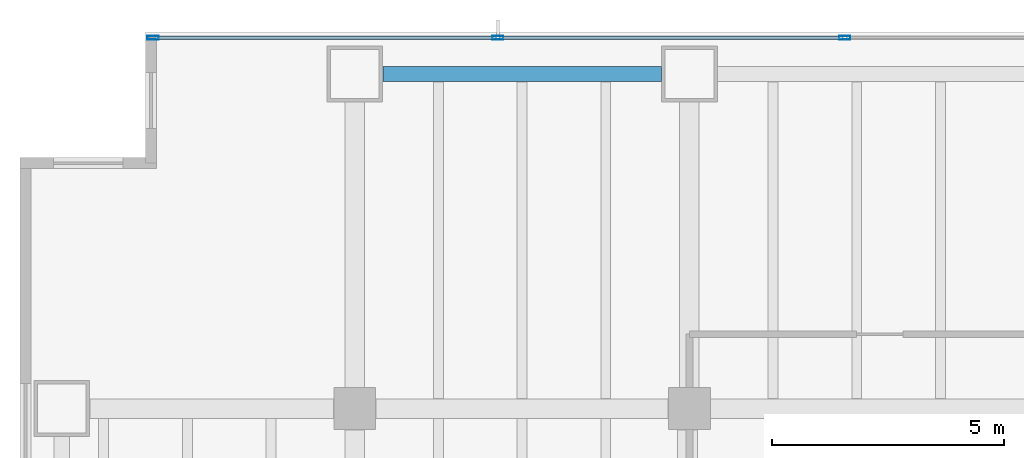
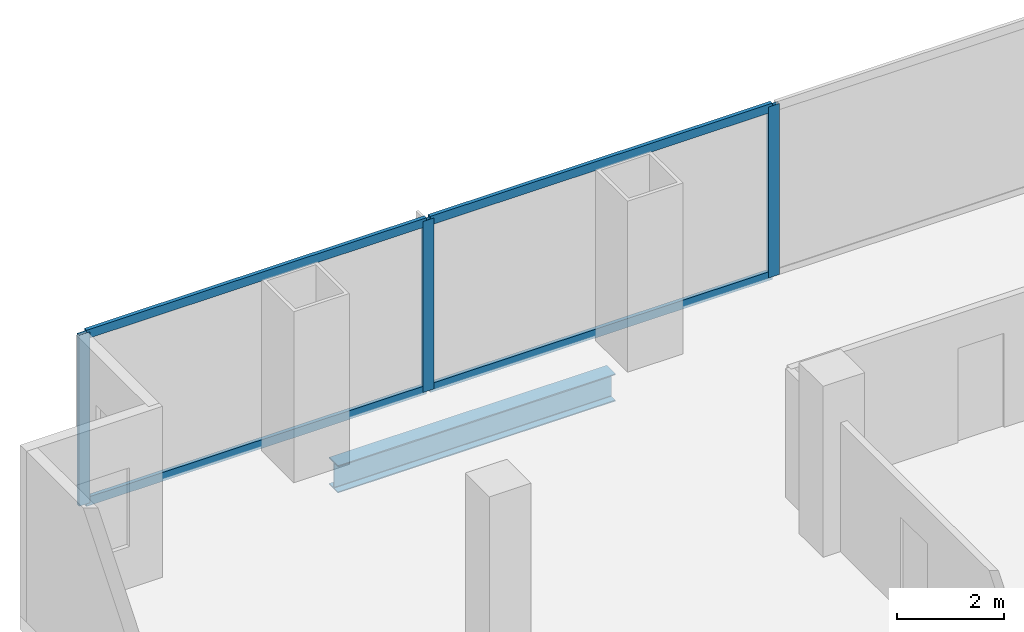
# One storey, part 11 of 31: 7 members, 1 beam, 1 element without a shape of its own.
"""IFC4 building model written with IfcOpenShell, lengths in metres."""

from ifc_helpers import new_model, si_unit, direction, frame, origin, origin_2d, place, context, subcontext, project, spatial, hollow_rectangle, i_section, extrude, material, material_profile, profile_set, type_object, element, aggregate, save


model = new_model("IFC4")

# Units and contexts
model_context = context("Model", 3, precision=1e-05, world=origin(), true_north=direction((0.0, 1.0)))
body_context = subcontext(model_context, "Body", "Model", "MODEL_VIEW")
ifc_project = project(units=[si_unit("LENGTHUNIT", "METRE"), si_unit("AREAUNIT", "SQUARE_METRE"), si_unit("VOLUMEUNIT", "CUBIC_METRE"), si_unit("PLANEANGLEUNIT", "RADIAN"), si_unit("MASSUNIT", "GRAM", prefix="KILO")], contexts=[model_context])

# Site, building, storey
site_placement = place(None, origin())
site = spatial("IfcSite", under=ifc_project, at=site_placement, CompositionType="ELEMENT")
building_placement = place(site_placement, origin())
building = spatial("IfcBuilding", under=site, at=building_placement, Name="Cobrela Telecom Tower", CompositionType="ELEMENT")
storey_placement = place(building_placement, frame((0.0, 0.0, 9.449951171875)))
storey = spatial("IfcBuildingStorey", under=building, at=storey_placement, Name="L02", CompositionType="ELEMENT", Elevation=9.449951171875)

# Beam
ifc_material_1 = material(Name="Steel ASTM A992 Grade 50", Category="steel")
ifc_material_profile_1 = material_profile(ifc_material_1, i_section(OverallWidth=0.327880859375, OverallDepth=0.6220703125, WebThickness=0.015380859375, FlangeThickness=0.0244140625, FilletRadius=0.014892578125, at=origin_2d()), Name="W24X131")
ifc_profile_set_1 = profile_set([ifc_material_profile_1], Name="Steel ASTM A992 Grade 50")
beam_type = type_object("IfcBeamType", Name="BM-SPAND-01", PredefinedType="SPANDREL", material=ifc_profile_set_1)
beam_placement = place(storey_placement, frame((7.804931640625, 49.5, -0.61083984375), z_axis=(1.0, 0.0, 0.0), x_axis=(0.0, 1.0, 0.0)))
element("IfcBeam", 1, at=beam_placement, inside=storey, type_object=beam_type, Name="L02 Perimeter Spandrel X52", PredefinedType="SPANDREL", context=body_context, shape_type="SweptSolid", body=[
    extrude(i_section(OverallWidth=0.327880859375, OverallDepth=0.6220703125, WebThickness=0.015380859375, FlangeThickness=0.0244140625, FilletRadius=0.014892578125, at=origin_2d()), origin(), (0.0, 0.0, 1.0), 5.989990234375),
])

# Curtain wall, members
ifc_material_2 = material(Name="Anodized Bronze Aluminium 6063-T6", Category="aluminium")
curtain_wall_type = type_object("IfcCurtainWallType", Name="CW-SYS-CONC", PredefinedType="USERDEFINED", material=ifc_material_2)
curtain_wall_placement = place(storey_placement, origin())
curtain_wall = element("IfcCurtainWall", 2, at=curtain_wall_placement, inside=storey, type_object=curtain_wall_type, Name="L02 Unitised Bronze Curtain Wall 07", ObjectType="UNITISED CURTAIN WALL", PredefinedType="USERDEFINED")
ifc_material_profile_2 = material_profile(ifc_material_2, hollow_rectangle(XDim=0.080078125, YDim=0.239990234375, WallThickness=0.0048828125, at=origin_2d()), Name="ALU 80x240x5")
ifc_profile_set_2 = profile_set([ifc_material_profile_2], Name="Anodized Bronze Aluminium 6063-T6")
member_type_1 = type_object("IfcMemberType", Name="CW-SYS-CONC-MUL", PredefinedType="MULLION", material=ifc_profile_set_2)
member_1_placement = place(storey_placement, frame((2.860107421875, 50.280029296875, 0.0), z_axis=(0.0, 0.0, 1.0), x_axis=(0.0, 1.0, 0.0)))
member_1 = element("IfcMember", 3, at=member_1_placement, type_object=member_type_1, Name="CW-CONC mullion 1", PredefinedType="MULLION", context=body_context, shape_type="SweptSolid", body=[
    extrude(hollow_rectangle(XDim=0.080078125, YDim=0.239990234375, WallThickness=0.0048828125, at=origin_2d()), origin(), (0.0, 0.0, 1.0), 3.900146484375),
])
member_2_placement = place(storey_placement, frame((10.280029296875, 50.280029296875, 0.0), z_axis=(0.0, 0.0, 1.0), x_axis=(0.0, 1.0, 0.0)))
member_2 = element("IfcMember", 4, at=member_2_placement, type_object=member_type_1, Name="CW-CONC mullion 2", PredefinedType="MULLION", context=body_context, shape_type="SweptSolid", body=[
    extrude(hollow_rectangle(XDim=0.080078125, YDim=0.239990234375, WallThickness=0.0048828125, at=origin_2d()), origin(), (0.0, 0.0, 1.0), 3.900146484375),
])
member_3_placement = place(storey_placement, frame((17.739990234375, 50.280029296875, 0.0), z_axis=(0.0, 0.0, 1.0), x_axis=(0.0, 1.0, 0.0)))
member_3 = element("IfcMember", 5, at=member_3_placement, type_object=member_type_1, Name="CW-CONC mullion 3", PredefinedType="MULLION", context=body_context, shape_type="SweptSolid", body=[
    extrude(hollow_rectangle(XDim=0.080078125, YDim=0.239990234375, WallThickness=0.0048828125, at=origin_2d()), origin(), (0.0, 0.0, 1.0), 3.900146484375),
])
ifc_material_profile_3 = material_profile(ifc_material_2, hollow_rectangle(XDim=0.080078125, YDim=0.199951171875, WallThickness=0.00390625, at=origin_2d()), Name="ALU 80x200x4")
ifc_profile_set_3 = profile_set([ifc_material_profile_3], Name="Anodized Bronze Aluminium 6063-T6")
member_type_2 = type_object("IfcMemberType", Name="CW-SYS-CONC-TRN", PredefinedType="USERDEFINED", material=ifc_profile_set_3)
member_4_placement = place(storey_placement, frame((2.89990234375, 50.280029296875, 0.0400390625), z_axis=(1.0, 0.0, 0.0), x_axis=(0.0, 1.0, 0.0)))
member_4 = element("IfcMember", 6, at=member_4_placement, type_object=member_type_2, Name="CW-CONC transom 1.1", ObjectType="TRANSOM", PredefinedType="USERDEFINED", context=body_context, shape_type="SweptSolid", body=[
    extrude(hollow_rectangle(XDim=0.080078125, YDim=0.199951171875, WallThickness=0.00390625, at=origin_2d()), origin(), (0.0, 0.0, 1.0), 7.340087890625),
])
member_5_placement = place(storey_placement, frame((2.89990234375, 50.280029296875, 3.860107421875), z_axis=(1.0, 0.0, 0.0), x_axis=(0.0, 1.0, 0.0)))
member_5 = element("IfcMember", 7, at=member_5_placement, type_object=member_type_2, Name="CW-CONC transom 1.2", ObjectType="TRANSOM", PredefinedType="USERDEFINED", context=body_context, shape_type="SweptSolid", body=[
    extrude(hollow_rectangle(XDim=0.080078125, YDim=0.199951171875, WallThickness=0.00390625, at=origin_2d()), origin(), (0.0, 0.0, 1.0), 7.340087890625),
])
member_6_placement = place(storey_placement, frame((10.320068359375, 50.280029296875, 0.0400390625), z_axis=(1.0, 0.0, 0.0), x_axis=(0.0, 1.0, 0.0)))
member_6 = element("IfcMember", 8, at=member_6_placement, type_object=member_type_2, Name="CW-CONC transom 2.1", ObjectType="TRANSOM", PredefinedType="USERDEFINED", context=body_context, shape_type="SweptSolid", body=[
    extrude(hollow_rectangle(XDim=0.080078125, YDim=0.199951171875, WallThickness=0.00390625, at=origin_2d()), origin(), (0.0, 0.0, 1.0), 7.3798828125),
])
member_7_placement = place(storey_placement, frame((10.320068359375, 50.280029296875, 3.860107421875), z_axis=(1.0, 0.0, 0.0), x_axis=(0.0, 1.0, 0.0)))
member_7 = element("IfcMember", 9, at=member_7_placement, type_object=member_type_2, Name="CW-CONC transom 2.2", ObjectType="TRANSOM", PredefinedType="USERDEFINED", context=body_context, shape_type="SweptSolid", body=[
    extrude(hollow_rectangle(XDim=0.080078125, YDim=0.199951171875, WallThickness=0.00390625, at=origin_2d()), origin(), (0.0, 0.0, 1.0), 7.3798828125),
])
aggregate(curtain_wall, [member_1, member_2, member_3, member_4, member_5, member_6, member_7])

save(model, "model.ifc")
